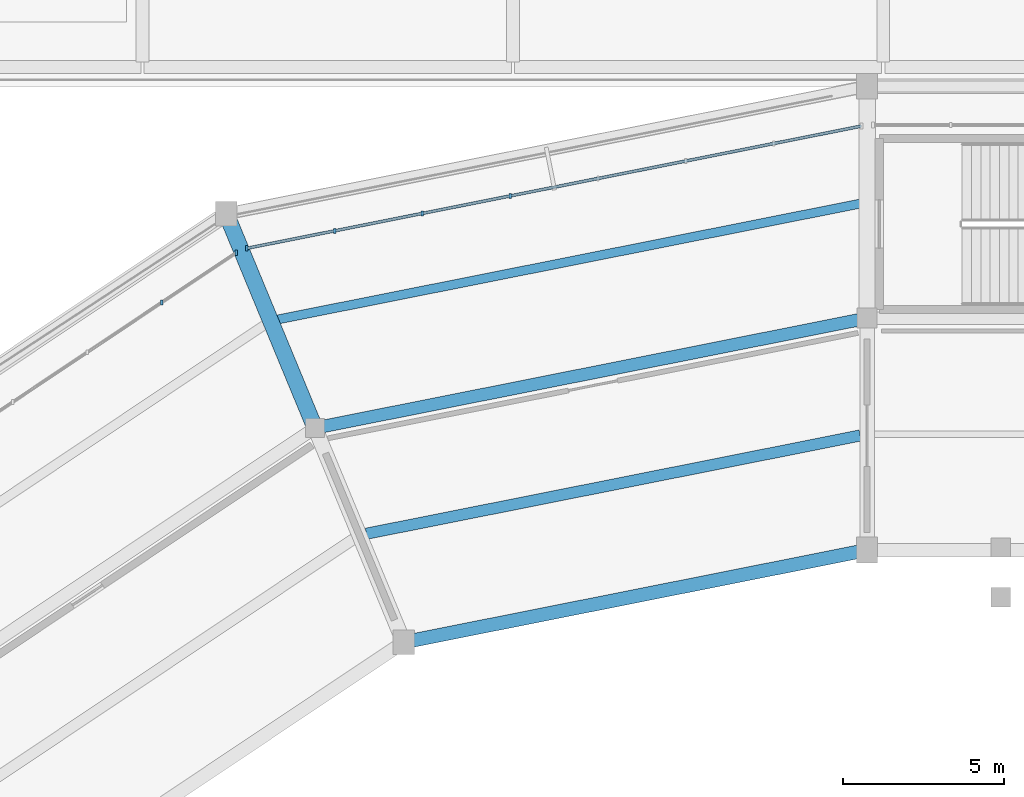
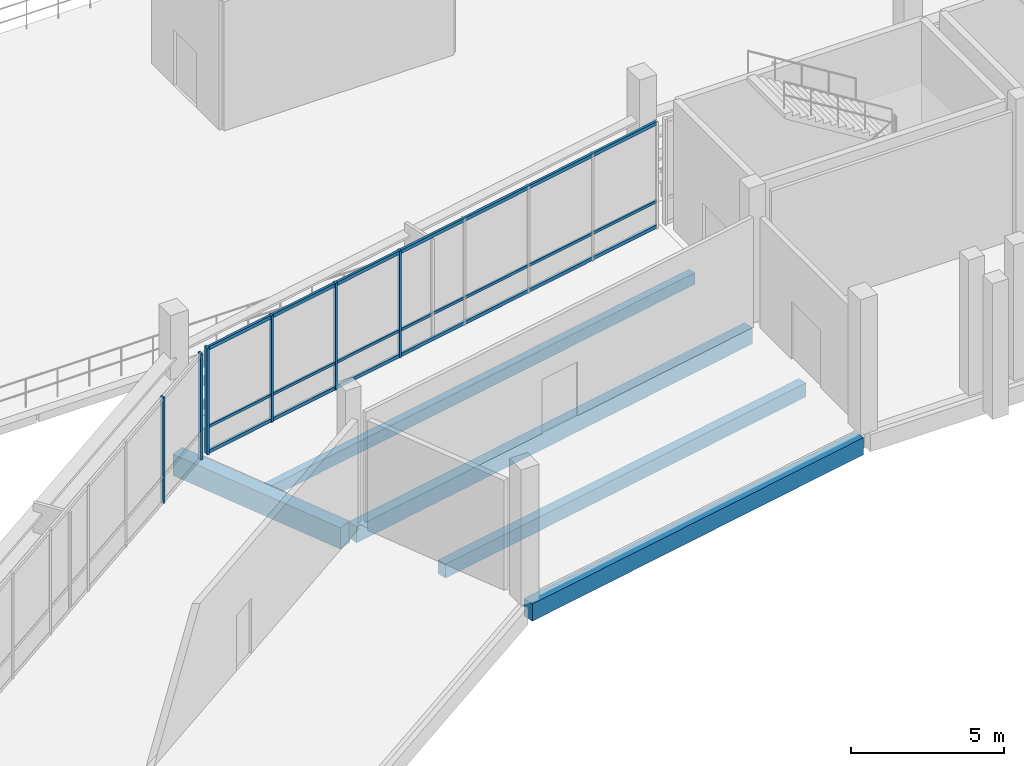
# One storey, part 46 of 111: 9 members, 5 beams, 2 elements without a shape of their own.
"""IFC4 building model written with IfcOpenShell, lengths in metres."""

from ifc_helpers import new_model, si_unit, direction, frame, origin, origin_2d, place, context, subcontext, project, spatial, rectangle, extrude, material, material_profile, profile_set, type_object, element, aggregate, save


model = new_model("IFC4")

# Units and contexts
model_context = context("Model", 3, precision=1e-05, world=origin(), true_north=direction((0.0, 1.0)))
body_context = subcontext(model_context, "Body", "Model", "MODEL_VIEW")
ifc_project = project(units=[si_unit("LENGTHUNIT", "METRE"), si_unit("AREAUNIT", "SQUARE_METRE"), si_unit("VOLUMEUNIT", "CUBIC_METRE"), si_unit("PLANEANGLEUNIT", "RADIAN"), si_unit("MASSUNIT", "GRAM", prefix="KILO")], contexts=[model_context])

# Site, building, storey
site_placement = place(None, origin())
site = spatial("IfcSite", under=ifc_project, at=site_placement, CompositionType="ELEMENT")
building_placement = place(site_placement, origin())
building = spatial("IfcBuilding", under=site, at=building_placement, Name="Candeia Ridge Stadium", CompositionType="ELEMENT")
storey_placement = place(building_placement, frame((0.0, 0.0, 16.199951171875)))
storey = spatial("IfcBuildingStorey", under=building, at=storey_placement, Name="L03", CompositionType="ELEMENT", Elevation=16.199951171875)

# Beam
ifc_material_1 = material(Name="Concrete C40/50", Category="concrete")
ifc_material_profile_1 = material_profile(ifc_material_1, rectangle(XDim=0.35009765625, YDim=0.550048828125, at=origin_2d()), Name="RC350x550", Category="concrete")
ifc_profile_set_1 = profile_set([ifc_material_profile_1], Name="Concrete C40/50")
beam_type_1 = type_object("IfcBeamType", Name="Concourse Concrete Joist RC350x550", PredefinedType="JOIST", material=ifc_profile_set_1)
beam_1_placement = place(storey_placement, frame((70.7822265625, 136.15673828125, -0.52490234375), z_axis=(-0.980784984607, -0.195091809076, 0.0), x_axis=(0.195091809076, -0.980784984607, 0.0)))
element("IfcBeam", 1, at=beam_1_placement, inside=storey, type_object=beam_type_1, Name="Concourse secondary joist BM-L03-0586", PredefinedType="JOIST", context=body_context, shape_type="SweptSolid", body=[
    extrude(rectangle(XDim=0.35009765625, YDim=0.550048828125, at=origin_2d()), origin(), (0.0, 0.0, 1.0), 15.63134765625),
])

# Curtain wall, member
ifc_material_2 = material(Name="Aluminium Anodized Warm Bronze", Category="aluminium")
curtain_wall_type = type_object("IfcCurtainWallType", Name="Concourse Recessed Unitised Curtain Wall", PredefinedType="NOTDEFINED", material=ifc_material_2)
curtain_wall_1_placement = place(storey_placement, origin())
curtain_wall_1 = element("IfcCurtainWall", 2, at=curtain_wall_1_placement, inside=storey, type_object=curtain_wall_type, Name="Unitised curtain wall CW-BWL-L03-07", PredefinedType="NOTDEFINED")
ifc_material_profile_2 = material_profile(ifc_material_2, rectangle(XDim=0.090087890625, YDim=0.179931640625, at=origin_2d()), Name="CWM-90x180", Category="aluminium")
ifc_profile_set_2 = profile_set([ifc_material_profile_2], Name="Aluminium Anodized Warm Bronze")
member_type_1 = type_object("IfcMemberType", Name="Curtain Wall Primary Mullion 90x180", PredefinedType="MULLION", material=ifc_profile_set_2)
member_1_placement = place(storey_placement, frame((51.736083984375, 141.96826171875, 0.0), z_axis=(0.0, 0.0, 1.0), x_axis=(1.0, 0.0, 0.0)))
member_1 = element("IfcMember", 3, at=member_1_placement, type_object=member_type_1, Name="Curtain wall mullion CW-BWL-L03-07-M7", PredefinedType="MULLION", context=body_context, shape_type="SweptSolid", body=[
    extrude(rectangle(XDim=0.090087890625, YDim=0.179931640625, at=origin_2d()), origin(), (0.0, 0.0, 1.0), 4.2451171875),
])

curtain_wall_2_placement = place(storey_placement, origin())
curtain_wall_2 = element("IfcCurtainWall", 4, at=curtain_wall_2_placement, inside=storey, type_object=curtain_wall_type, Name="Unitised curtain wall CW-BWL-L03-08", PredefinedType="NOTDEFINED")
member_2_placement = place(storey_placement, frame((51.409912109375, 141.8330078125, 0.0), z_axis=(0.0, 0.0, 1.0), x_axis=(1.0, 0.0, 0.0)))
member_2 = element("IfcMember", 5, at=member_2_placement, type_object=member_type_1, Name="Curtain wall mullion CW-BWL-L03-08-M0", PredefinedType="MULLION", context=body_context, shape_type="SweptSolid", body=[
    extrude(rectangle(XDim=0.090087890625, YDim=0.179931640625, at=origin_2d()), origin(), (0.0, 0.0, 1.0), 4.205078125),
])

# Member
ifc_material_profile_3 = material_profile(ifc_material_2, rectangle(XDim=0.074951171875, YDim=0.14990234375, at=origin_2d()), Name="CWM-75x150", Category="aluminium")
ifc_profile_set_3 = profile_set([ifc_material_profile_3], Name="Aluminium Anodized Warm Bronze")
member_type_2 = type_object("IfcMemberType", Name="Curtain Wall Secondary Mullion 75x150", PredefinedType="MULLION", material=ifc_profile_set_3)
member_3_placement = place(storey_placement, frame((59.91650390625, 143.595458984375, 0.0), z_axis=(0.0, 0.0, 1.0), x_axis=(1.0, 0.0, 0.0)))
member_3 = element("IfcMember", 6, at=member_3_placement, type_object=member_type_2, Name="Curtain wall mullion CW-BWL-L03-07-M4", PredefinedType="MULLION", context=body_context, shape_type="SweptSolid", body=[
    extrude(rectangle(XDim=0.074951171875, YDim=0.14990234375, at=origin_2d()), origin(), (0.0, 0.0, 1.0), 4.2451171875),
])

member_4_placement = place(storey_placement, frame((57.189697265625, 143.052978515625, 0.0), z_axis=(0.0, 0.0, 1.0), x_axis=(1.0, 0.0, 0.0)))
member_4 = element("IfcMember", 7, at=member_4_placement, type_object=member_type_2, Name="Curtain wall mullion CW-BWL-L03-07-M5", PredefinedType="MULLION", context=body_context, shape_type="SweptSolid", body=[
    extrude(rectangle(XDim=0.074951171875, YDim=0.14990234375, at=origin_2d()), origin(), (0.0, 0.0, 1.0), 4.2451171875),
])

member_5_placement = place(storey_placement, frame((54.462890625, 142.510498046875, 0.0), z_axis=(0.0, 0.0, 1.0), x_axis=(1.0, 0.0, 0.0)))
member_5 = element("IfcMember", 8, at=member_5_placement, type_object=member_type_2, Name="Curtain wall mullion CW-BWL-L03-07-M6", PredefinedType="MULLION", context=body_context, shape_type="SweptSolid", body=[
    extrude(rectangle(XDim=0.074951171875, YDim=0.14990234375, at=origin_2d()), origin(), (0.0, 0.0, 1.0), 4.2451171875),
])

member_6_placement = place(storey_placement, frame((49.098388671875, 140.28857421875, 0.0), z_axis=(0.0, 0.0, 1.0), x_axis=(1.0, 0.0, 0.0)))
member_6 = element("IfcMember", 9, at=member_6_placement, type_object=member_type_2, Name="Curtain wall mullion CW-BWL-L03-08-M1", PredefinedType="MULLION", context=body_context, shape_type="SweptSolid", body=[
    extrude(rectangle(XDim=0.074951171875, YDim=0.14990234375, at=origin_2d()), origin(), (0.0, 0.0, 1.0), 4.205078125),
])

aggregate(curtain_wall_2, [member_2, member_6])

ifc_material_profile_4 = material_profile(ifc_material_2, rectangle(XDim=0.074951171875, YDim=0.110107421875, at=origin_2d()), Name="CWT-75x110", Category="aluminium")
ifc_profile_set_4 = profile_set([ifc_material_profile_4], Name="Aluminium Anodized Warm Bronze")
member_type_3 = type_object("IfcMemberType", Name="Curtain Wall Secondary Transom 75x110", PredefinedType="USERDEFINED", material=ifc_profile_set_4)
member_7_placement = place(storey_placement, frame((70.823486328125, 145.764892578125, 1.061279296875), z_axis=(-0.980786160623, -0.195085896803, 0.0), x_axis=(0.195085896803, -0.980786160623, 0.0)))
member_7 = element("IfcMember", 10, at=member_7_placement, type_object=member_type_3, Name="Curtain wall transom CW-BWL-L03-07-T1", ObjectType="TRANSOM", PredefinedType="USERDEFINED", context=body_context, shape_type="SweptSolid", body=[
    extrude(rectangle(XDim=0.074951171875, YDim=0.110107421875, at=origin_2d()), origin(), (0.0, 0.0, 1.0), 19.46142578125),
])

ifc_material_profile_5 = material_profile(ifc_material_2, rectangle(XDim=0.090087890625, YDim=0.139892578125, at=origin_2d()), Name="CWT-90x140", Category="aluminium")
ifc_profile_set_5 = profile_set([ifc_material_profile_5], Name="Aluminium Anodized Warm Bronze")
member_type_4 = type_object("IfcMemberType", Name="Curtain Wall Transom 90x140", PredefinedType="USERDEFINED", material=ifc_profile_set_5)
member_8_placement = place(storey_placement, frame((70.823486328125, 145.764892578125, 0.070068359375), z_axis=(-0.980786160623, -0.195085896803, 0.0), x_axis=(0.195085896803, -0.980786160623, 0.0)))
member_8 = element("IfcMember", 11, at=member_8_placement, type_object=member_type_4, Name="Curtain wall transom CW-BWL-L03-07-T0", ObjectType="TRANSOM", PredefinedType="USERDEFINED", context=body_context, shape_type="SweptSolid", body=[
    extrude(rectangle(XDim=0.090087890625, YDim=0.139892578125, at=origin_2d()), origin(), (0.0, 0.0, 1.0), 19.46142578125),
])

member_9_placement = place(storey_placement, frame((70.823486328125, 145.764892578125, 4.175048828125), z_axis=(-0.980786160623, -0.195085896803, 0.0), x_axis=(0.195085896803, -0.980786160623, 0.0)))
member_9 = element("IfcMember", 12, at=member_9_placement, type_object=member_type_4, Name="Curtain wall transom CW-BWL-L03-07-T2", ObjectType="TRANSOM", PredefinedType="USERDEFINED", context=body_context, shape_type="SweptSolid", body=[
    extrude(rectangle(XDim=0.090087890625, YDim=0.139892578125, at=origin_2d()), origin(), (0.0, 0.0, 1.0), 19.46142578125),
])

aggregate(curtain_wall_1, [member_3, member_4, member_5, member_1, member_8, member_7, member_9])

# Beams
ifc_material_profile_6 = material_profile(ifc_material_1, rectangle(XDim=0.280029296875, YDim=0.4599609375, at=origin_2d()), Name="RC280x460", Category="concrete")
ifc_profile_set_6 = profile_set([ifc_material_profile_6], Name="Concrete C40/50")
beam_type_2 = type_object("IfcBeamType", Name="Floor Joist RC280x460", PredefinedType="JOIST", material=ifc_profile_set_6)
beam_2_placement = place(storey_placement, frame((70.7822265625, 143.356689453125, -0.47998046875), z_axis=(-0.980784839623, -0.195092537954, 0.0), x_axis=(0.195092537954, -0.980784839623, 0.0)))
element("IfcBeam", 13, at=beam_2_placement, inside=storey, type_object=beam_type_2, Name="Concourse secondary joist BM-L03-0587", PredefinedType="JOIST", context=body_context, shape_type="SweptSolid", body=[
    extrude(rectangle(XDim=0.280029296875, YDim=0.4599609375, at=origin_2d()), origin(), (0.0, 0.0, 1.0), 18.440673828125),
])
ifc_material_profile_7 = material_profile(ifc_material_1, rectangle(XDim=0.389892578125, YDim=0.639892578125, at=origin_2d()), Name="RC390x640", Category="concrete")
ifc_profile_set_7 = profile_set([ifc_material_profile_7], Name="Concrete C40/50")
beam_type_3 = type_object("IfcBeamType", Name="Frame Girder RC390x640", PredefinedType="BEAM", material=ifc_profile_set_7)
beam_3_placement = place(storey_placement, frame((70.843017578125, 139.768798828125, -0.570068359375), z_axis=(-0.980783706548, -0.195098234154, 0.0), x_axis=(0.195098234154, -0.980783706548, 0.0)))
element("IfcBeam", 14, at=beam_3_placement, inside=storey, type_object=beam_type_3, Name="Concourse spine girder BM-L03-0584", PredefinedType="BEAM", context=body_context, shape_type="SweptSolid", body=[
    extrude(rectangle(XDim=0.389892578125, YDim=0.639892578125, at=origin_2d()), origin(), (0.0, 0.0, 1.0), 17.16015625),
])
ifc_material_profile_8 = material_profile(ifc_material_1, rectangle(XDim=0.419921875, YDim=0.679931640625, at=origin_2d()), Name="RC420x680", Category="concrete")
ifc_profile_set_8 = profile_set([ifc_material_profile_8], Name="Concrete C40/50")
beam_type_4 = type_object("IfcBeamType", Name="Frame Girder RC420x680", PredefinedType="BEAM", material=ifc_profile_set_8)
beam_4_placement = place(storey_placement, frame((70.843017578125, 132.56884765625, -0.58984375), z_axis=(-0.980783642657, -0.195098555341, 0.0), x_axis=(0.195098555341, -0.980783642657, 0.0)))
element("IfcBeam", 15, at=beam_4_placement, inside=storey, type_object=beam_type_4, Name="Bowl inner ring girder BM-L03-0583", PredefinedType="BEAM", context=body_context, shape_type="SweptSolid", body=[
    extrude(rectangle(XDim=0.419921875, YDim=0.679931640625, at=origin_2d()), origin(), (0.0, 0.0, 1.0), 14.350830078125),
])
ifc_material_3 = material(Name="Concrete C45/55", Category="concrete")
ifc_material_profile_9 = material_profile(ifc_material_3, rectangle(XDim=0.5, YDim=0.85009765625, at=origin_2d()), Name="RC500x850", Category="concrete")
ifc_profile_set_9 = profile_set([ifc_material_profile_9], Name="Concrete C45/55")
beam_type_5 = type_object("IfcBeamType", Name="Frame Girder RC500x850", PredefinedType="BEAM", material=ifc_profile_set_9)
beam_5_placement = place(storey_placement, frame((53.79443359375, 136.53759765625, -0.675048828125), z_axis=(-0.382681914982, 0.923880161031, 0.0), x_axis=(-0.923880161031, -0.382681914982, 0.0)))
element("IfcBeam", 16, at=beam_5_placement, inside=storey, type_object=beam_type_5, Name="Bowl radial girder BM-L03-0498", PredefinedType="BEAM", context=body_context, shape_type="SweptSolid", body=[
    extrude(rectangle(XDim=0.5, YDim=0.85009765625, at=origin_2d()), origin(), (0.0, 0.0, 1.0), 6.8798828125),
])

save(model, "model.ifc")
